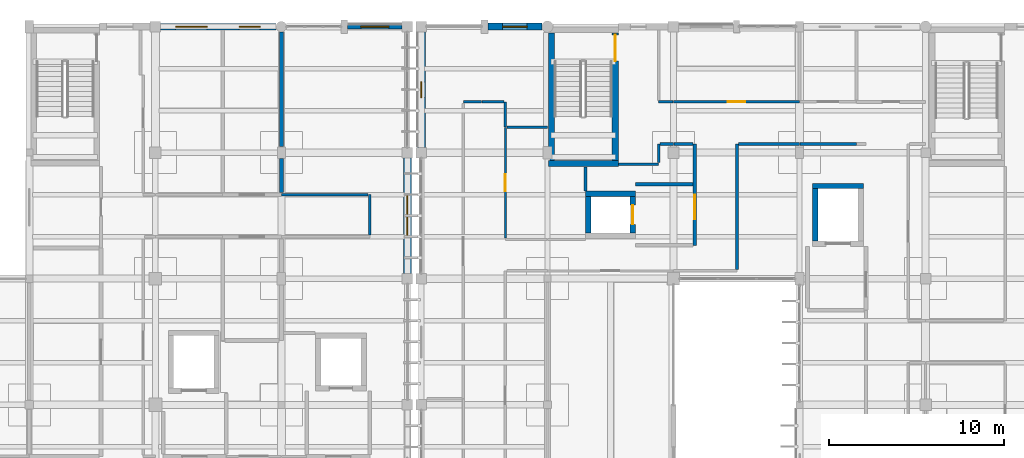
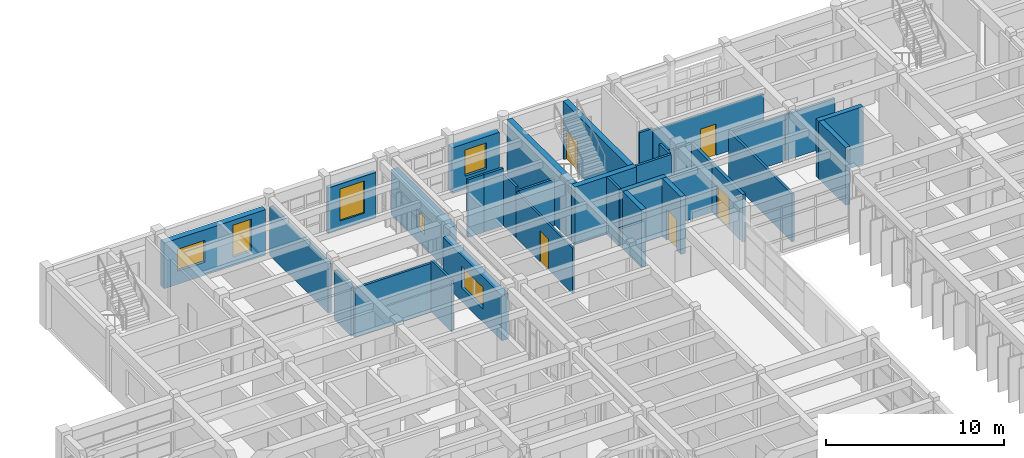
# One storey, part 75 of 100: 34 walls, 6 windows, 5 doors, 11 openings.
"""IFC4 building model written with IfcOpenShell, lengths in metres."""

from ifc_helpers import new_model, si_unit, direction, frame, frame_2d, origin, place, context, subcontext, project, spatial, rectangle, extrude, material, layer, layer_set, type_object, element, fill, save


model = new_model("IFC4")

# Units and contexts
model_context = context("Model", 3, precision=1e-05, world=origin(), true_north=direction((0.0, 1.0)))
body_context = subcontext(model_context, "Body", "Model", "MODEL_VIEW")
ifc_project = project(units=[si_unit("LENGTHUNIT", "METRE"), si_unit("AREAUNIT", "SQUARE_METRE"), si_unit("VOLUMEUNIT", "CUBIC_METRE"), si_unit("PLANEANGLEUNIT", "RADIAN"), si_unit("MASSUNIT", "GRAM", prefix="KILO")], contexts=[model_context])

# Site, building, storey
site_placement = place(None, origin())
site = spatial("IfcSite", under=ifc_project, at=site_placement, CompositionType="ELEMENT")
building_placement = place(site_placement, origin())
building = spatial("IfcBuilding", under=site, at=building_placement, Name="Steenspoor Specialist Clinic", CompositionType="ELEMENT")
storey_placement = place(building_placement, frame((0.0, 0.0, 9.0)))
storey = spatial("IfcBuildingStorey", under=building, at=storey_placement, Name="L02", CompositionType="ELEMENT", Elevation=9.0)

# Wall, openings, windows
ifc_material_1 = material(Name="Extruded clay brick masonry", Category="masonry")
ifc_layer_1 = layer(ifc_material_1, 0.3798828125)
ifc_layer_set_1 = layer_set([ifc_layer_1], Name="Extruded clay brick masonry")
wall_type_1 = type_object("IfcWallType", Name="W-BRICK-380", PredefinedType="USERDEFINED", material=ifc_layer_set_1)
wall_1_placement = place(storey_placement, frame((37.5, 108.35009765625, 0.0), z_axis=(0.0, 0.0, 1.0), x_axis=(1.0, 0.0, 0.0)))
wall_1 = element("IfcWall", 1, at=wall_1_placement, inside=storey, type_object=wall_type_1, Name="Exterior Brick Wall EW-V5-L02-0272", ObjectType="CAVITY VENEER", PredefinedType="USERDEFINED", context=body_context, shape_type="SweptSolid", body=[
    extrude(rectangle(XDim=6.60009765625, YDim=0.3798828125, at=frame_2d((3.300048828125, 0.0))), origin(), (0.0, 0.0, 1.0), 3.1298828125),
])
opening_1_placement = place(wall_1_placement, frame((0.864990234375, 0.0, 0.89990234375)))
opening_1 = element("IfcOpeningElement", 2, at=opening_1_placement, cuts=wall_1, Name="Opening WN-13", PredefinedType="OPENING", context=body_context, shape_type="SweptSolid", body=[
    extrude(rectangle(XDim=1.800048828125, YDim=1.5, at=frame_2d((0.89990234375, 0.75))), frame((0.0, 0.199951171875, 0.0), z_axis=(0.0, -1.0, 0.0), x_axis=(1.0, 0.0, 0.0)), (0.0, 0.0, 1.0), 0.39990234375),
])
opening_2_placement = place(wall_1_placement, frame((4.485107421875, 0.0, 0.60009765625)))
opening_2 = element("IfcOpeningElement", 3, at=opening_2_placement, cuts=wall_1, Name="Opening WN-15", PredefinedType="OPENING", context=body_context, shape_type="SweptSolid", body=[
    extrude(rectangle(XDim=1.199951171875, YDim=2.199951171875, at=frame_2d((0.60009765625, 1.10009765625))), frame((0.0, 0.199951171875, 0.0), z_axis=(0.0, -1.0, 0.0), x_axis=(1.0, 0.0, 0.0)), (0.0, 0.0, 1.0), 0.39990234375),
])
ifc_material_2 = material(Name="Thermally broken aluminium and low-emissivity glass", Category="aluminium")
window_type_1 = type_object("IfcWindowType", Name="WN-EXT-120X220", PartitioningType="SINGLE_PANEL", PredefinedType="WINDOW", material=ifc_material_2)
window_1_placement = place(opening_2_placement, origin())
window_1 = element("IfcWindow", 4, at=window_1_placement, inside=storey, type_object=window_type_1, Name="Window 0298", OverallHeight=2.199951171875, OverallWidth=1.199951171875, PartitioningType="SINGLE_PANEL", PredefinedType="WINDOW", context=body_context, shape_type="SweptSolid", body=[
    extrude(rectangle(XDim=1.199951171875, YDim=2.199951171875, at=frame_2d((0.60009765625, 1.10009765625))), frame((0.0, 0.030029296875, 0.0), z_axis=(0.0, -1.0, 0.0), x_axis=(1.0, 0.0, 0.0)), (0.0, 0.0, 1.0), 0.06005859375),
])
fill(opening_2, window_1)
window_type_2 = type_object("IfcWindowType", Name="WN-EXT-180X150", PartitioningType="SINGLE_PANEL", PredefinedType="WINDOW", material=ifc_material_2)
window_2_placement = place(opening_1_placement, origin())
window_2 = element("IfcWindow", 5, at=window_2_placement, inside=storey, type_object=window_type_2, Name="Window 0297", OverallHeight=1.5, OverallWidth=1.800048828125, PartitioningType="SINGLE_PANEL", PredefinedType="WINDOW", context=body_context, shape_type="SweptSolid", body=[
    extrude(rectangle(XDim=1.800048828125, YDim=1.5, at=frame_2d((0.89990234375, 0.75))), frame((0.0, 0.030029296875, 0.0), z_axis=(0.0, -1.0, 0.0), x_axis=(1.0, 0.0, 0.0)), (0.0, 0.0, 1.0), 0.06005859375),
])
fill(opening_1, window_2)

# Wall, opening, window
ifc_layer_2 = layer(ifc_material_1, 0.409912109375)
ifc_layer_set_2 = layer_set([ifc_layer_2], Name="Extruded clay brick masonry")
wall_type_2 = type_object("IfcWallType", Name="W-BRICK-410", PredefinedType="USERDEFINED", material=ifc_layer_set_2)
wall_2_placement = place(storey_placement, frame((56.18994140625, 108.35009765625, 0.0), z_axis=(0.0, 0.0, 1.0), x_axis=(1.0, 0.0, 0.0)))
wall_2 = element("IfcWall", 6, at=wall_2_placement, inside=storey, type_object=wall_type_2, Name="Exterior Brick Wall EW-V4-L02-0139", ObjectType="CAVITY VENEER", PredefinedType="USERDEFINED", context=body_context, shape_type="SweptSolid", body=[
    extrude(rectangle(XDim=3.0849609375, YDim=0.409912109375, at=frame_2d((1.54248046875, 0.0))), origin(), (0.0, 0.0, 1.0), 3.1298828125),
])
opening_3_placement = place(wall_2_placement, frame((0.842529296875, 0.0, 0.89990234375)))
opening_3 = element("IfcOpeningElement", 7, at=opening_3_placement, cuts=wall_2, Name="Opening WN-06", PredefinedType="OPENING", context=body_context, shape_type="SweptSolid", body=[
    extrude(rectangle(XDim=1.39990234375, YDim=1.800048828125, at=frame_2d((0.699951171875, 0.89990234375))), frame((0.0, 0.21484375, 0.0), z_axis=(0.0, -1.0, 0.0), x_axis=(1.0, 0.0, 0.0)), (0.0, 0.0, 1.0), 0.429931640625),
])
window_type_3 = type_object("IfcWindowType", Name="WN-EXT-140X180", PartitioningType="SINGLE_PANEL", PredefinedType="WINDOW", material=ifc_material_2)
window_3_placement = place(opening_3_placement, origin())
window_3 = element("IfcWindow", 8, at=window_3_placement, inside=storey, type_object=window_type_3, Name="Window 0164", OverallHeight=1.800048828125, OverallWidth=1.39990234375, PartitioningType="SINGLE_PANEL", PredefinedType="WINDOW", context=body_context, shape_type="SweptSolid", body=[
    extrude(rectangle(XDim=1.39990234375, YDim=1.800048828125, at=frame_2d((0.699951171875, 0.89990234375))), frame((0.0, 0.030029296875, 0.0), z_axis=(0.0, -1.0, 0.0), x_axis=(1.0, 0.0, 0.0)), (0.0, 0.0, 1.0), 0.06005859375),
])
fill(opening_3, window_3)

ifc_layer_3 = layer(ifc_material_1, 0.43994140625)
ifc_layer_set_3 = layer_set([ifc_layer_3], Name="Extruded clay brick masonry")
wall_type_3 = type_object("IfcWallType", Name="W-BRICK-440", PredefinedType="USERDEFINED", material=ifc_layer_set_3)
wall_3_placement = place(storey_placement, frame((52.39990234375, 101.449951171875, 0.0), z_axis=(0.0, 0.0, 1.0), x_axis=(0.0, 1.0, 0.0)))
wall_3 = element("IfcWall", 9, at=wall_3_placement, inside=storey, type_object=wall_type_3, Name="Exterior Brick Wall EW-V4-L02-0138", ObjectType="CAVITY VENEER", PredefinedType="USERDEFINED", context=body_context, shape_type="SweptSolid", body=[
    extrude(rectangle(XDim=6.60009765625, YDim=0.43994140625, at=frame_2d((3.300048828125, 0.0))), origin(), (0.0, 0.0, 1.0), 3.1298828125),
])
opening_4_placement = place(wall_3_placement, frame((2.85009765625, 0.0, 0.89990234375)))
opening_4 = element("IfcOpeningElement", 10, at=opening_4_placement, cuts=wall_3, Name="Opening WN-21", PredefinedType="OPENING", context=body_context, shape_type="SweptSolid", body=[
    extrude(rectangle(XDim=0.89990234375, YDim=1.199951171875, at=frame_2d((0.449951171875, 0.60009765625))), frame((0.0, 0.22998046875, 0.0), z_axis=(0.0, -1.0, 0.0), x_axis=(1.0, 0.0, 0.0)), (0.0, 0.0, 1.0), 0.4599609375),
])
window_type_4 = type_object("IfcWindowType", Name="WN-EXT-090X120", PartitioningType="SINGLE_PANEL", PredefinedType="WINDOW", material=ifc_material_2)
window_4_placement = place(opening_4_placement, origin())
window_4 = element("IfcWindow", 11, at=window_4_placement, inside=storey, type_object=window_type_4, Name="Window 0163", OverallHeight=1.199951171875, OverallWidth=0.89990234375, PartitioningType="SINGLE_PANEL", PredefinedType="WINDOW", context=body_context, shape_type="SweptSolid", body=[
    extrude(rectangle(XDim=0.89990234375, YDim=1.199951171875, at=frame_2d((0.449951171875, 0.60009765625))), frame((0.0, 0.030029296875, 0.0), z_axis=(0.0, -1.0, 0.0), x_axis=(1.0, 0.0, 0.0)), (0.0, 0.0, 1.0), 0.06005859375),
])
fill(opening_4, window_4)

wall_4_placement = place(storey_placement, frame((51.60009765625, 100.85009765625, 0.0), z_axis=(0.0, 0.0, 1.0), x_axis=(0.0, -1.0, 0.0)))
wall_4 = element("IfcWall", 12, at=wall_4_placement, inside=storey, type_object=wall_type_3, Name="Exterior Brick Wall EW-V5-L02-0274", ObjectType="CAVITY VENEER", PredefinedType="USERDEFINED", context=body_context, shape_type="SweptSolid", body=[
    extrude(rectangle(XDim=6.60009765625, YDim=0.43994140625, at=frame_2d((3.300048828125, 0.0))), origin(), (0.0, 0.0, 1.0), 3.1298828125),
])
opening_5_placement = place(wall_4_placement, frame((2.10009765625, 0.0, 0.89990234375)))
opening_5 = element("IfcOpeningElement", 13, at=opening_5_placement, cuts=wall_4, Name="Opening WN-14", PredefinedType="OPENING", context=body_context, shape_type="SweptSolid", body=[
    extrude(rectangle(XDim=2.39990234375, YDim=1.5, at=frame_2d((1.199951171875, 0.75))), frame((0.0, 0.22998046875, 0.0), z_axis=(0.0, -1.0, 0.0), x_axis=(1.0, 0.0, 0.0)), (0.0, 0.0, 1.0), 0.4599609375),
])
window_type_5 = type_object("IfcWindowType", Name="WN-EXT-240X150", PartitioningType="SINGLE_PANEL", PredefinedType="WINDOW", material=ifc_material_2)
window_5_placement = place(opening_5_placement, origin())
window_5 = element("IfcWindow", 14, at=window_5_placement, inside=storey, type_object=window_type_5, Name="Window 0300", OverallHeight=1.5, OverallWidth=2.39990234375, PartitioningType="SINGLE_PANEL", PredefinedType="WINDOW", context=body_context, shape_type="SweptSolid", body=[
    extrude(rectangle(XDim=2.39990234375, YDim=1.5, at=frame_2d((1.199951171875, 0.75))), frame((0.0, 0.030029296875, 0.0), z_axis=(0.0, -1.0, 0.0), x_axis=(1.0, 0.0, 0.0)), (0.0, 0.0, 1.0), 0.06005859375),
])
fill(opening_5, window_5)

# Walls
ifc_material_3 = material(Name="Gypsum acoustic clinical partition", Category="gypsum")
ifc_layer_4 = layer(ifc_material_3, 0.14990234375)
ifc_layer_set_4 = layer_set([ifc_layer_4], Name="Gypsum acoustic clinical partition")
wall_type_4 = type_object("IfcWallType", Name="W-CLIN-150", PredefinedType="PARTITIONING", material=ifc_layer_set_4)
wall_5_placement = place(storey_placement, frame((49.449951171875, 96.43994140625, 0.0), z_axis=(0.0, 0.0, 1.0), x_axis=(0.0, 1.0, 0.0)))
element("IfcWall", 15, at=wall_5_placement, inside=storey, type_object=wall_type_4, Name="Interior Partition IW-V5-L02-1298", PredefinedType="PARTITIONING", context=body_context, shape_type="SweptSolid", body=[
    extrude(rectangle(XDim=2.31005859375, YDim=0.14990234375, at=frame_2d((1.155029296875, 0.0))), origin(), (0.0, 0.0, 1.0), 3.514892578125),
])
wall_6_placement = place(storey_placement, frame((44.4150390625, 98.75, 0.0), z_axis=(0.0, 0.0, 1.0), x_axis=(1.0, 0.0, 0.0)))
element("IfcWall", 16, at=wall_6_placement, inside=storey, type_object=wall_type_4, Name="Interior Partition IW-V5-L02-1299", PredefinedType="PARTITIONING", context=body_context, shape_type="SweptSolid", body=[
    extrude(rectangle(XDim=4.945068359375, YDim=0.14990234375, at=frame_2d((2.47265625, 0.0))), origin(), (0.0, 0.0, 1.0), 3.35498046875),
])
wall_7_placement = place(storey_placement, frame((70.429931640625, 94.489990234375, 0.0), z_axis=(0.0, 0.0, 1.0), x_axis=(0.0, 1.0, 0.0)))
element("IfcWall", 17, at=wall_7_placement, inside=storey, type_object=wall_type_4, Name="Interior Partition IW-V4-L02-1312", PredefinedType="PARTITIONING", context=body_context, shape_type="SweptSolid", body=[
    extrude(rectangle(XDim=7.159912109375, YDim=0.14990234375, at=frame_2d((3.580078125, 0.0))), origin(), (0.0, 0.0, 1.0), 3.284912109375),
])
wall_8_placement = place(storey_placement, frame((70.52001953125, 101.64990234375, 0.0), z_axis=(0.0, 0.0, 1.0), x_axis=(1.0, 0.0, 0.0)))
element("IfcWall", 18, at=wall_8_placement, inside=storey, type_object=wall_type_4, Name="Interior Partition IW-V4-L02-1313", PredefinedType="PARTITIONING", context=body_context, shape_type="SweptSolid", body=[
    extrude(rectangle(XDim=3.47998046875, YDim=0.14990234375, at=frame_2d((1.739990234375, 0.0))), origin(), (0.0, 0.0, 1.0), 3.135009765625),
])
wall_9_placement = place(storey_placement, frame((74.014892578125, 101.64990234375, 0.0), z_axis=(0.0, 0.0, 1.0), x_axis=(1.0, 0.0, 0.0)))
element("IfcWall", 19, at=wall_9_placement, inside=storey, type_object=wall_type_4, Name="Interior Partition IW-V4-L02-1314", PredefinedType="PARTITIONING", context=body_context, shape_type="SweptSolid", body=[
    extrude(rectangle(XDim=3.235107421875, YDim=0.14990234375, at=frame_2d((1.61767578125, 0.0))), origin(), (0.0, 0.0, 1.0), 3.135009765625),
])
wall_10_placement = place(storey_placement, frame((57.199951171875, 102.60498046875, 0.0), z_axis=(0.0, 0.0, 1.0), x_axis=(0.0, 1.0, 0.0)))
element("IfcWall", 20, at=wall_10_placement, inside=storey, type_object=wall_type_4, Name="Interior Partition IW-V4-L02-1323", PredefinedType="PARTITIONING", context=body_context, shape_type="SweptSolid", body=[
    extrude(rectangle(XDim=1.445068359375, YDim=0.14990234375, at=frame_2d((0.72265625, 0.0))), origin(), (0.0, 0.0, 1.0), 3.514892578125),
])
wall_11_placement = place(storey_placement, frame((55.85009765625, 104.050048828125, 0.0), z_axis=(0.0, 0.0, 1.0), x_axis=(1.0, 0.0, 0.0)))
element("IfcWall", 21, at=wall_11_placement, inside=storey, type_object=wall_type_4, Name="Interior Partition IW-V4-L02-1324", PredefinedType="PARTITIONING", context=body_context, shape_type="SweptSolid", body=[
    extrude(rectangle(XDim=1.260009765625, YDim=0.14990234375, at=frame_2d((0.6298828125, 0.0))), origin(), (0.0, 0.0, 1.0), 3.949951171875),
])
wall_12_placement = place(storey_placement, frame((54.800048828125, 104.050048828125, 0.0), z_axis=(0.0, 0.0, 1.0), x_axis=(1.0, 0.0, 0.0)))
element("IfcWall", 22, at=wall_12_placement, inside=storey, type_object=wall_type_4, Name="Interior Partition IW-V4-L02-1325", PredefinedType="PARTITIONING", context=body_context, shape_type="SweptSolid", body=[
    extrude(rectangle(XDim=1.034912109375, YDim=0.14990234375, at=frame_2d((0.517578125, 0.0))), origin(), (0.0, 0.0, 1.0), 3.949951171875),
])

# Wall, opening, door
wall_13_placement = place(storey_placement, frame((66.800048828125, 104.050048828125, 0.0), z_axis=(0.0, 0.0, 1.0), x_axis=(1.0, 0.0, 0.0)))
wall_13 = element("IfcWall", 23, at=wall_13_placement, inside=storey, type_object=wall_type_4, Name="Interior Partition IW-V4-L02-1332", PredefinedType="PARTITIONING", context=body_context, shape_type="SweptSolid", body=[
    extrude(rectangle(XDim=7.199951171875, YDim=0.14990234375, at=frame_2d((3.60009765625, 0.0))), origin(), (0.0, 0.0, 1.0), 3.135009765625),
])
opening_6_placement = place(wall_13_placement, frame((3.10009765625, 0.0, 0.0)))
opening_6 = element("IfcOpeningElement", 24, at=opening_6_placement, cuts=wall_13, Name="Opening D0245", PredefinedType="OPENING", context=body_context, shape_type="SweptSolid", body=[
    extrude(rectangle(XDim=1.0, YDim=2.14990234375, at=frame_2d((0.5, 1.074951171875))), frame((0.0, 0.0849609375, 0.0), z_axis=(0.0, -1.0, 0.0), x_axis=(1.0, 0.0, 0.0)), (0.0, 0.0, 1.0), 0.169921875),
])
ifc_material_4 = material(Name="Moisture-resistant HPL accessible WC door", Category="wood")
door_type_1 = type_object("IfcDoorType", Name="DT-AWC-100X215", OperationType="NOTDEFINED", PredefinedType="DOOR", material=ifc_material_4)
door_1_placement = place(opening_6_placement, origin())
door_1 = element("IfcDoor", 25, at=door_1_placement, inside=storey, type_object=door_type_1, Name="Clinical Door D0245", OperationType="SINGLE_SWING_RIGHT", OverallHeight=2.14990234375, OverallWidth=1.0, PredefinedType="DOOR", context=body_context, shape_type="SweptSolid", body=[
    extrude(rectangle(XDim=1.0, YDim=2.14990234375, at=frame_2d((0.5, 1.074951171875))), frame((0.0, 0.02490234375, 0.0), z_axis=(0.0, -1.0, 0.0), x_axis=(1.0, 0.0, 0.0)), (0.0, 0.0, 1.0), 0.050048828125),
])
fill(opening_6, door_1)

# Walls
wall_14_placement = place(storey_placement, frame((65.949951171875, 104.050048828125, 0.0), z_axis=(0.0, 0.0, 1.0), x_axis=(1.0, 0.0, 0.0)))
element("IfcWall", 26, at=wall_14_placement, inside=storey, type_object=wall_type_4, Name="Interior Partition IW-V4-L02-1333", PredefinedType="PARTITIONING", context=body_context, shape_type="SweptSolid", body=[
    extrude(rectangle(XDim=0.8349609375, YDim=0.14990234375, at=frame_2d((0.41748046875, 0.0))), origin(), (0.0, 0.0, 1.0), 3.284912109375),
])
wall_15_placement = place(storey_placement, frame((63.6650390625, 100.5, 0.0), z_axis=(0.0, 0.0, 1.0), x_axis=(1.0, 0.0, 0.0)))
element("IfcWall", 27, at=wall_15_placement, inside=storey, type_object=wall_type_4, Name="Interior Partition IW-V4-L02-1335", PredefinedType="PARTITIONING", context=body_context, shape_type="SweptSolid", body=[
    extrude(rectangle(XDim=2.284912109375, YDim=0.14990234375, at=frame_2d((1.142578125, 0.0))), origin(), (0.0, 0.0, 1.0), 3.949951171875),
])
wall_16_placement = place(storey_placement, frame((65.949951171875, 100.590087890625, 0.0), z_axis=(0.0, 0.0, 1.0), x_axis=(0.0, 1.0, 0.0)))
element("IfcWall", 28, at=wall_16_placement, inside=storey, type_object=wall_type_4, Name="Interior Partition IW-V4-L02-1336", PredefinedType="PARTITIONING", context=body_context, shape_type="SweptSolid", body=[
    extrude(rectangle(XDim=1.059814453125, YDim=0.14990234375, at=frame_2d((0.52978515625, 0.0))), origin(), (0.0, 0.0, 1.0), 3.949951171875),
])
wall_17_placement = place(storey_placement, frame((66.0400390625, 101.64990234375, 0.0), z_axis=(0.0, 0.0, 1.0), x_axis=(1.0, 0.0, 0.0)))
element("IfcWall", 29, at=wall_17_placement, inside=storey, type_object=wall_type_4, Name="Interior Partition IW-V4-L02-1337", PredefinedType="PARTITIONING", context=body_context, shape_type="SweptSolid", body=[
    extrude(rectangle(XDim=0.760009765625, YDim=0.14990234375, at=frame_2d((0.3798828125, 0.0))), origin(), (0.0, 0.0, 1.0), 3.284912109375),
])
wall_18_placement = place(storey_placement, frame((66.81494140625, 101.64990234375, 0.0), z_axis=(0.0, 0.0, 1.0), x_axis=(1.0, 0.0, 0.0)))
element("IfcWall", 30, at=wall_18_placement, inside=storey, type_object=wall_type_4, Name="Interior Partition IW-V4-L02-1338", PredefinedType="PARTITIONING", context=body_context, shape_type="SweptSolid", body=[
    extrude(rectangle(XDim=1.094970703125, YDim=0.14990234375, at=frame_2d((0.54736328125, 0.0))), origin(), (0.0, 0.0, 1.0), 3.284912109375),
])
wall_19_placement = place(storey_placement, frame((57.2900390625, 102.60498046875, 0.0), z_axis=(0.0, 0.0, 1.0), x_axis=(1.0, 0.0, 0.0)))
element("IfcWall", 31, at=wall_19_placement, inside=storey, type_object=wall_type_4, Name="Interior Partition IW-V4-L02-1480", PredefinedType="PARTITIONING", context=body_context, shape_type="SweptSolid", body=[
    extrude(rectangle(XDim=2.31005859375, YDim=0.14990234375, at=frame_2d((1.155029296875, 0.0))), origin(), (0.0, 0.0, 1.0), 3.215087890625),
])
wall_20_placement = place(storey_placement, frame((61.77490234375, 98.965087890625, 0.0), z_axis=(0.0, 0.0, 1.0), x_axis=(0.0, 1.0, 0.0)))
element("IfcWall", 32, at=wall_20_placement, inside=storey, type_object=wall_type_4, Name="Interior Partition IW-V4-L02-1481", PredefinedType="PARTITIONING", context=body_context, shape_type="SweptSolid", body=[
    extrude(rectangle(XDim=1.369873046875, YDim=0.14990234375, at=frame_2d((0.68505859375, 0.0))), origin(), (0.0, 0.0, 1.0), 3.949951171875),
])
ifc_material_5 = material(Name="Fire-rated clay blockwork masonry", Category="masonry")
ifc_layer_5 = layer(ifc_material_5, 0.219970703125)
ifc_layer_set_5 = layer_set([ifc_layer_5], Name="Fire-rated clay blockwork masonry")
wall_type_5 = type_object("IfcWallType", Name="W-FIRE-220", PredefinedType="PARTITIONING", material=ifc_layer_set_5)
wall_21_placement = place(storey_placement, frame((44.39990234375, 98.875, 0.0), z_axis=(0.0, 0.0, 1.0), x_axis=(0.0, 1.0, 0.0)))
element("IfcWall", 33, at=wall_21_placement, inside=storey, type_object=wall_type_5, Name="Interior Partition IW-V5-L02-1424", PredefinedType="PARTITIONING", context=body_context, shape_type="SweptSolid", body=[
    extrude(rectangle(XDim=1.93505859375, YDim=0.219970703125, at=frame_2d((0.967529296875, 0.0))), origin(), (0.0, 0.0, 1.0), 3.35498046875),
])
wall_22_placement = place(storey_placement, frame((44.39990234375, 101.489990234375, 0.0), z_axis=(0.0, 0.0, 1.0), x_axis=(0.0, 1.0, 0.0)))
element("IfcWall", 34, at=wall_22_placement, inside=storey, type_object=wall_type_5, Name="Interior Partition IW-V5-L02-1425", PredefinedType="PARTITIONING", context=body_context, shape_type="SweptSolid", body=[
    extrude(rectangle(XDim=6.544921875, YDim=0.219970703125, at=frame_2d((3.2724609375, 0.0))), origin(), (0.0, 0.0, 1.0), 3.35498046875),
])

# Wall, opening, door
ifc_material_6 = material(Name="Gypsum studio partition board", Category="gypsum")
ifc_layer_6 = layer(ifc_material_6, 0.1201171875)
ifc_layer_set_6 = layer_set([ifc_layer_6], Name="Gypsum studio partition board")
wall_type_6 = type_object("IfcWallType", Name="W-PART-120", PredefinedType="PARTITIONING", material=ifc_layer_set_6)
wall_23_placement = place(storey_placement, frame((57.199951171875, 96.27490234375, 0.0), z_axis=(0.0, 0.0, 1.0), x_axis=(0.0, 1.0, 0.0)))
wall_23 = element("IfcWall", 35, at=wall_23_placement, inside=storey, type_object=wall_type_6, Name="Interior Partition IW-V4-L02-1397", PredefinedType="PARTITIONING", context=body_context, shape_type="SweptSolid", body=[
    extrude(rectangle(XDim=6.315185546875, YDim=0.1201171875, at=frame_2d((3.15771484375, 0.0))), origin(), (0.0, 0.0, 1.0), 3.135009765625),
])
opening_7_placement = place(wall_23_placement, frame((2.6826171875, 0.0, 0.0)))
opening_7 = element("IfcOpeningElement", 36, at=opening_7_placement, cuts=wall_23, Name="Opening D0246", PredefinedType="OPENING", context=body_context, shape_type="SweptSolid", body=[
    extrude(rectangle(XDim=0.949951171875, YDim=2.10009765625, at=frame_2d((0.47509765625, 1.050048828125))), frame((0.0, 0.070068359375, 0.0), z_axis=(0.0, -1.0, 0.0), x_axis=(1.0, 0.0, 0.0)), (0.0, 0.0, 1.0), 0.14013671875),
])
ifc_material_7 = material(Name="Moisture-resistant HPL sanitary door", Category="wood")
door_type_2 = type_object("IfcDoorType", Name="DT-WC-095X210", OperationType="NOTDEFINED", PredefinedType="DOOR", material=ifc_material_7)
door_2_placement = place(opening_7_placement, origin())
door_2 = element("IfcDoor", 37, at=door_2_placement, inside=storey, type_object=door_type_2, Name="Clinical Door D0246", OperationType="SINGLE_SWING_LEFT", OverallHeight=2.10009765625, OverallWidth=0.949951171875, PredefinedType="DOOR", context=body_context, shape_type="SweptSolid", body=[
    extrude(rectangle(XDim=0.949951171875, YDim=2.10009765625, at=frame_2d((0.47509765625, 1.050048828125))), frame((0.0, 0.02490234375, 0.0), z_axis=(0.0, -1.0, 0.0), x_axis=(1.0, 0.0, 0.0)), (0.0, 0.0, 1.0), 0.050048828125),
])
fill(opening_7, door_2)

# Wall, opening, window
ifc_layer_7 = layer(ifc_material_1, 0.260009765625)
ifc_layer_set_7 = layer_set([ifc_layer_7], Name="Extruded clay brick masonry")
wall_type_7 = type_object("IfcWallType", Name="W-SCREEN-260", PredefinedType="SOLIDWALL", material=ifc_layer_set_7)
wall_24_placement = place(storey_placement, frame((48.18994140625, 108.35009765625, 0.0), z_axis=(0.0, 0.0, 1.0), x_axis=(1.0, 0.0, 0.0)))
wall_24 = element("IfcWall", 38, at=wall_24_placement, inside=storey, type_object=wall_type_7, Name="Exterior Brick Wall EW-V5-L02-0273", PredefinedType="SOLIDWALL", context=body_context, shape_type="SweptSolid", body=[
    extrude(rectangle(XDim=3.110107421875, YDim=0.260009765625, at=frame_2d((1.55517578125, 0.0))), origin(), (0.0, 0.0, 1.0), 3.1298828125),
])
opening_8_placement = place(wall_24_placement, frame((0.7548828125, 0.0, 0.60009765625)))
opening_8 = element("IfcOpeningElement", 39, at=opening_8_placement, cuts=wall_24, Name="Opening WN-16", PredefinedType="OPENING", context=body_context, shape_type="SweptSolid", body=[
    extrude(rectangle(XDim=1.60009765625, YDim=2.199951171875, at=frame_2d((0.800048828125, 1.10009765625))), frame((0.0, 0.14013671875, 0.0), z_axis=(0.0, -1.0, 0.0), x_axis=(1.0, 0.0, 0.0)), (0.0, 0.0, 1.0), 0.280029296875),
])
window_type_6 = type_object("IfcWindowType", Name="WN-EXT-160X220", PartitioningType="SINGLE_PANEL", PredefinedType="WINDOW", material=ifc_material_2)
window_6_placement = place(opening_8_placement, origin())
window_6 = element("IfcWindow", 40, at=window_6_placement, inside=storey, type_object=window_type_6, Name="Window 0299", OverallHeight=2.199951171875, OverallWidth=1.60009765625, PartitioningType="SINGLE_PANEL", PredefinedType="WINDOW", context=body_context, shape_type="SweptSolid", body=[
    extrude(rectangle(XDim=1.60009765625, YDim=2.199951171875, at=frame_2d((0.800048828125, 1.10009765625))), frame((0.0, 0.030029296875, 0.0), z_axis=(0.0, -1.0, 0.0), x_axis=(1.0, 0.0, 0.0)), (0.0, 0.0, 1.0), 0.06005859375),
])
fill(opening_8, window_6)

# Wall, opening, door
ifc_material_8 = material(Name="Gypsum acoustic smoke barrier board", Category="gypsum")
ifc_layer_8 = layer(ifc_material_8, 0.199951171875)
ifc_layer_set_8 = layer_set([ifc_layer_8], Name="Gypsum acoustic smoke barrier board")
wall_type_8 = type_object("IfcWallType", Name="W-SMOKE-200", PredefinedType="PARTITIONING", material=ifc_layer_set_8)
wall_25_placement = place(storey_placement, frame((68.02490234375, 95.85009765625, 0.0), z_axis=(0.0, 0.0, 1.0), x_axis=(0.0, 1.0, 0.0)))
wall_25 = element("IfcWall", 41, at=wall_25_placement, inside=storey, type_object=wall_type_8, Name="Interior Partition IW-V4-L02-1239", PredefinedType="PARTITIONING", context=body_context, shape_type="SweptSolid", body=[
    extrude(rectangle(XDim=5.7998046875, YDim=0.199951171875, at=frame_2d((2.89990234375, 0.0))), origin(), (0.0, 0.0, 1.0), 3.284912109375),
])
opening_9_placement = place(wall_25_placement, frame((1.49609375, 0.0, 0.0)))
opening_9 = element("IfcOpeningElement", 42, at=opening_9_placement, cuts=wall_25, Name="Opening D0229", PredefinedType="OPENING", context=body_context, shape_type="SweptSolid", body=[
    extrude(rectangle(XDim=1.39990234375, YDim=2.199951171875, at=frame_2d((0.699951171875, 1.10009765625))), frame((0.0, 0.10986328125, 0.0), z_axis=(0.0, -1.0, 0.0), x_axis=(1.0, 0.0, 0.0)), (0.0, 0.0, 1.0), 0.219970703125),
])
ifc_material_9 = material(Name="Fire-rated clinical laminate door", Category="steel")
door_type_3 = type_object("IfcDoorType", Name="DT-LAB-140X220", OperationType="NOTDEFINED", PredefinedType="DOOR", material=ifc_material_9)
door_3_placement = place(opening_9_placement, origin())
door_3 = element("IfcDoor", 43, at=door_3_placement, inside=storey, type_object=door_type_3, Name="Lift Lobby Fire Door D0229", OperationType="SINGLE_SWING_RIGHT", OverallHeight=2.199951171875, OverallWidth=1.39990234375, PredefinedType="DOOR", context=body_context, shape_type="SweptSolid", body=[
    extrude(rectangle(XDim=1.39990234375, YDim=2.199951171875, at=frame_2d((0.699951171875, 1.10009765625))), frame((0.0, 0.02490234375, 0.0), z_axis=(0.0, -1.0, 0.0), x_axis=(1.0, 0.0, 0.0)), (0.0, 0.0, 1.0), 0.050048828125),
])
fill(opening_9, door_3)

# Walls
wall_26_placement = place(storey_placement, frame((64.625, 99.35009765625, 0.0), z_axis=(0.0, 0.0, 1.0), x_axis=(1.0, 0.0, 0.0)))
element("IfcWall", 44, at=wall_26_placement, inside=storey, type_object=wall_type_8, Name="Interior Partition IW-V4-L02-1250", PredefinedType="PARTITIONING", context=body_context, shape_type="SweptSolid", body=[
    extrude(rectangle(XDim=3.284912109375, YDim=0.199951171875, at=frame_2d((1.642578125, 0.0))), origin(), (0.0, 0.0, 1.0), 3.284912109375),
])
ifc_material_10 = material(Name="Concrete C40/50", Category="concrete")
ifc_layer_9 = layer(ifc_material_10, 0.300048828125)
ifc_layer_set_9 = layer_set([ifc_layer_9], Name="Concrete C40/50")
wall_type_9 = type_object("IfcWallType", Name="W-SW-300", PredefinedType="SHEAR", material=ifc_layer_set_9)
wall_27_placement = place(storey_placement, frame((74.75, 99.25, 0.0), z_axis=(0.0, 0.0, 1.0), x_axis=(1.0, 0.0, 0.0)))
element("IfcWall", 45, at=wall_27_placement, inside=storey, type_object=wall_type_9, Name="Lift Shaft Shear Wall SW-EL-S1-L02-N", PredefinedType="SHEAR", context=body_context, shape_type="SweptSolid", body=[
    extrude(rectangle(XDim=2.89990234375, YDim=0.300048828125, at=frame_2d((1.449951171875, 0.0))), origin(), (0.0, 0.0, 1.0), 3.949951171875),
])
wall_28_placement = place(storey_placement, frame((74.89990234375, 96.10009765625, 0.0), z_axis=(0.0, 0.0, 1.0), x_axis=(0.0, 1.0, 0.0)))
element("IfcWall", 46, at=wall_28_placement, inside=storey, type_object=wall_type_9, Name="Lift Shaft Shear Wall SW-EL-S1-L02-W", PredefinedType="SHEAR", context=body_context, shape_type="SweptSolid", body=[
    extrude(rectangle(XDim=3.0, YDim=0.300048828125, at=frame_2d((1.5, 0.0))), origin(), (0.0, 0.0, 1.0), 3.949951171875),
])
wall_29_placement = place(storey_placement, frame((61.77490234375, 98.800048828125, 0.0), z_axis=(0.0, 0.0, 1.0), x_axis=(1.0, 0.0, 0.0)))
element("IfcWall", 47, at=wall_29_placement, inside=storey, type_object=wall_type_9, Name="Lift Shaft Shear Wall SW-EL-P2-L02-N", PredefinedType="SHEAR", context=body_context, shape_type="SweptSolid", body=[
    extrude(rectangle(XDim=2.85009765625, YDim=0.300048828125, at=frame_2d((1.425048828125, 0.0))), origin(), (0.0, 0.0, 1.0), 3.949951171875),
])
wall_30_placement = place(storey_placement, frame((61.925048828125, 96.550048828125, 0.0), z_axis=(0.0, 0.0, 1.0), x_axis=(0.0, 1.0, 0.0)))
element("IfcWall", 48, at=wall_30_placement, inside=storey, type_object=wall_type_9, Name="Lift Shaft Shear Wall SW-EL-P2-L02-W", PredefinedType="SHEAR", context=body_context, shape_type="SweptSolid", body=[
    extrude(rectangle(XDim=2.099853515625, YDim=0.300048828125, at=frame_2d((1.0498046875, 0.0))), origin(), (0.0, 0.0, 1.0), 3.949951171875),
])

# Wall, opening, door
wall_31_placement = place(storey_placement, frame((64.47509765625, 96.550048828125, 0.0), z_axis=(0.0, 0.0, 1.0), x_axis=(0.0, 1.0, 0.0)))
wall_31 = element("IfcWall", 49, at=wall_31_placement, inside=storey, type_object=wall_type_9, Name="Lift Shaft Shear Wall SW-EL-P2-L02-E", PredefinedType="SHEAR", context=body_context, shape_type="SweptSolid", body=[
    extrude(rectangle(XDim=2.099853515625, YDim=0.300048828125, at=frame_2d((1.0498046875, 0.0))), origin(), (0.0, 0.0, 1.0), 3.949951171875),
])
opening_10_placement = place(wall_31_placement, frame((0.5, 0.0, 0.0)))
opening_10 = element("IfcOpeningElement", 50, at=opening_10_placement, cuts=wall_31, Name="Opening LD19", PredefinedType="OPENING", context=body_context, shape_type="SweptSolid", body=[
    extrude(rectangle(XDim=1.10009765625, YDim=2.14990234375, at=frame_2d((0.550048828125, 1.074951171875))), frame((0.0, 0.16015625, 0.0), z_axis=(0.0, -1.0, 0.0), x_axis=(1.0, 0.0, 0.0)), (0.0, 0.0, 1.0), 0.320068359375),
])
ifc_material_11 = material(Name="Stainless steel lift landing door", Category="steel")
door_type_4 = type_object("IfcDoorType", Name="DT-LIFT-P-110", OperationType="NOTDEFINED", PredefinedType="DOOR", material=ifc_material_11)
door_4_placement = place(opening_10_placement, origin())
door_4 = element("IfcDoor", 51, at=door_4_placement, inside=storey, type_object=door_type_4, Name="Lift Landing Door LD19", OperationType="SLIDING_TO_LEFT", OverallHeight=2.14990234375, OverallWidth=1.10009765625, PredefinedType="DOOR", context=body_context, shape_type="SweptSolid", body=[
    extrude(rectangle(XDim=1.10009765625, YDim=2.14990234375, at=frame_2d((0.550048828125, 1.074951171875))), frame((0.0, 0.02490234375, 0.0), z_axis=(0.0, -1.0, 0.0), x_axis=(1.0, 0.0, 0.0)), (0.0, 0.0, 1.0), 0.050048828125),
])
fill(opening_10, door_4)

# Walls
ifc_layer_10 = layer(ifc_material_10, 0.35009765625)
ifc_layer_set_10 = layer_set([ifc_layer_10], Name="Concrete C40/50")
wall_type_10 = type_object("IfcWallType", Name="W-SW-350", PredefinedType="SHEAR", material=ifc_layer_set_10)
wall_32_placement = place(storey_placement, frame((59.64990234375, 100.52490234375, 0.0), z_axis=(0.0, 0.0, 1.0), x_axis=(1.0, 0.0, 0.0)))
element("IfcWall", 52, at=wall_32_placement, inside=storey, type_object=wall_type_10, Name="Core Shear Wall SW-ST-V4A-L02-S", PredefinedType="SHEAR", context=body_context, shape_type="SweptSolid", body=[
    extrude(rectangle(XDim=4.0, YDim=0.35009765625, at=frame_2d((2.0, 0.0))), origin(), (0.0, 0.0, 1.0), 3.949951171875),
])
wall_33_placement = place(storey_placement, frame((59.824951171875, 100.699951171875, 0.0), z_axis=(0.0, 0.0, 1.0), x_axis=(0.0, 1.0, 0.0)))
element("IfcWall", 53, at=wall_33_placement, inside=storey, type_object=wall_type_10, Name="Core Shear Wall SW-ST-V4A-L02-W", PredefinedType="SHEAR", context=body_context, shape_type="SweptSolid", body=[
    extrude(rectangle(XDim=7.300048828125, YDim=0.35009765625, at=frame_2d((3.64990234375, 0.0))), origin(), (0.0, 0.0, 1.0), 3.949951171875),
])

# Wall, opening, door
wall_34_placement = place(storey_placement, frame((63.47509765625, 100.699951171875, 0.0), z_axis=(0.0, 0.0, 1.0), x_axis=(0.0, 1.0, 0.0)))
wall_34 = element("IfcWall", 54, at=wall_34_placement, inside=storey, type_object=wall_type_10, Name="Core Shear Wall SW-ST-V4A-L02-E", PredefinedType="SHEAR", context=body_context, shape_type="SweptSolid", body=[
    extrude(rectangle(XDim=7.300048828125, YDim=0.35009765625, at=frame_2d((3.64990234375, 0.0))), origin(), (0.0, 0.0, 1.0), 3.949951171875),
])
opening_11_placement = place(wall_34_placement, frame((5.679931640625, 0.0, 0.0)))
opening_11 = element("IfcOpeningElement", 55, at=opening_11_placement, cuts=wall_34, Name="Opening SD011", PredefinedType="OPENING", context=body_context, shape_type="SweptSolid", body=[
    extrude(rectangle(XDim=1.5, YDim=2.14990234375, at=frame_2d((0.75, 1.074951171875))), frame((0.0, 0.18505859375, 0.0), z_axis=(0.0, -1.0, 0.0), x_axis=(1.0, 0.0, 0.0)), (0.0, 0.0, 1.0), 0.3701171875),
])
ifc_material_12 = material(Name="Fire-rated steel acoustic door", Category="steel")
door_type_5 = type_object("IfcDoorType", Name="DT-STAIR-150X215", OperationType="NOTDEFINED", PredefinedType="DOOR", material=ifc_material_12)
door_5_placement = place(opening_11_placement, origin())
door_5 = element("IfcDoor", 56, at=door_5_placement, inside=storey, type_object=door_type_5, Name="Exit Stair Fire Door SD011", OperationType="SINGLE_SWING_RIGHT", OverallHeight=2.14990234375, OverallWidth=1.5, PredefinedType="DOOR", context=body_context, shape_type="SweptSolid", body=[
    extrude(rectangle(XDim=1.5, YDim=2.14990234375, at=frame_2d((0.75, 1.074951171875))), frame((0.0, 0.02490234375, 0.0), z_axis=(0.0, -1.0, 0.0), x_axis=(1.0, 0.0, 0.0)), (0.0, 0.0, 1.0), 0.050048828125),
])
fill(opening_11, door_5)

save(model, "model.ifc")
